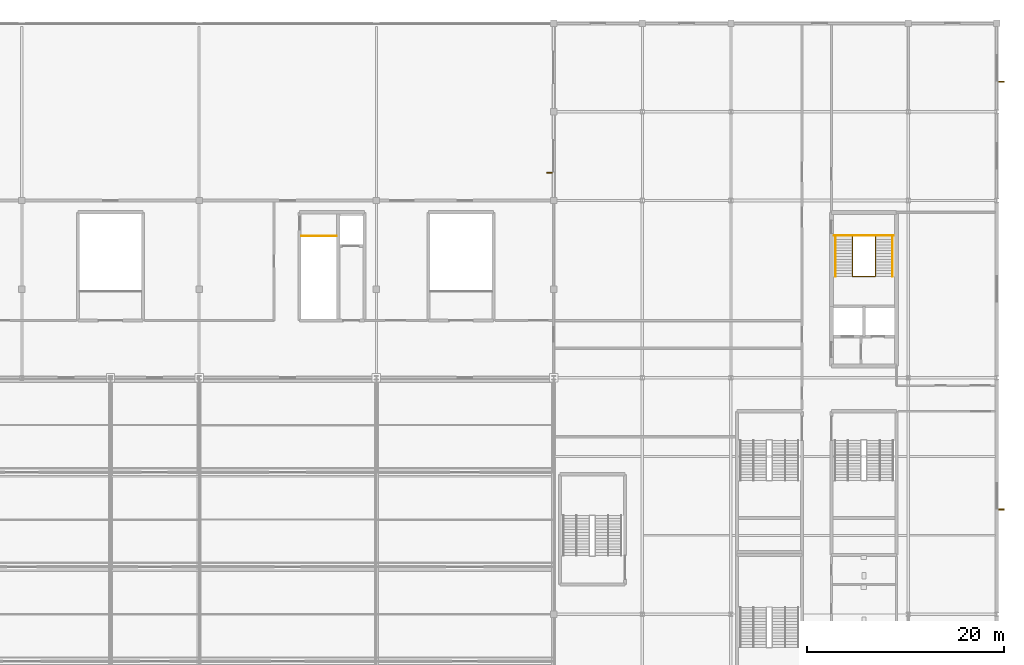
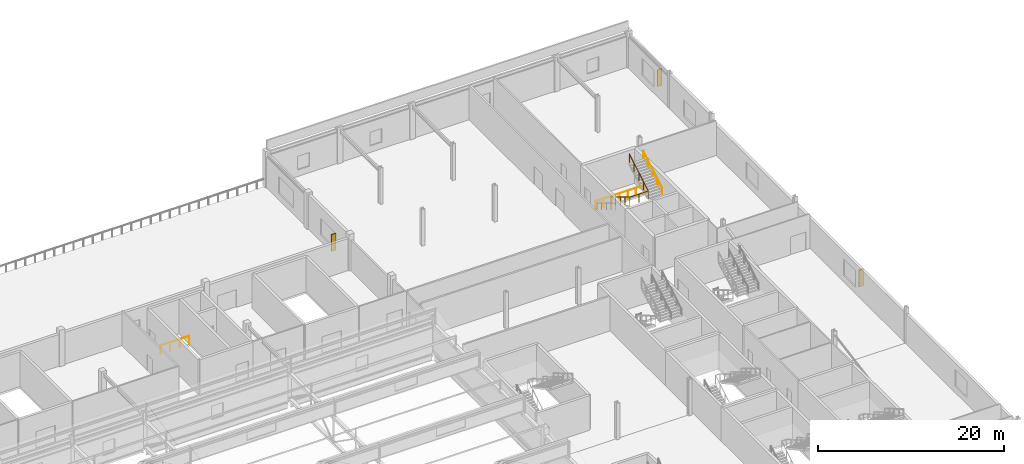
# One storey, part 135 of 136: 5 railings, 3 shading devices.
"""IFC4 building model written with IfcOpenShell, lengths in metres."""

from ifc_helpers import new_model, si_unit, direction, frame, origin, origin_2d, place, context, subcontext, project, spatial, rectangle, circle, extrude, material, type_object, element, save


model = new_model("IFC4")

# Units and contexts
model_context = context("Model", 3, precision=1e-05, world=origin(), true_north=direction((0.0, 1.0)))
body_context = subcontext(model_context, "Body", "Model", "MODEL_VIEW")
ifc_project = project(units=[si_unit("LENGTHUNIT", "METRE"), si_unit("AREAUNIT", "SQUARE_METRE"), si_unit("VOLUMEUNIT", "CUBIC_METRE"), si_unit("PLANEANGLEUNIT", "RADIAN"), si_unit("MASSUNIT", "GRAM", prefix="KILO")], contexts=[model_context])

# Site, building, storey
site_placement = place(None, origin())
site = spatial("IfcSite", under=ifc_project, at=site_placement, CompositionType="ELEMENT")
building_placement = place(site_placement, origin())
building = spatial("IfcBuilding", under=site, at=building_placement, Name="Kisiwana Market Hall", CompositionType="ELEMENT")
storey_placement = place(building_placement, frame((0.0, 0.0, 16.800048828125)))
storey = spatial("IfcBuildingStorey", under=building, at=storey_placement, Name="L03", CompositionType="ELEMENT", Elevation=16.800048828125)

# Railings
ifc_material_1 = material(Name="Steel S275", Category="steel")
railing_type_1 = type_object("IfcRailingType", Name="RL-GUARD-1100", PredefinedType="GUARDRAIL", material=ifc_material_1)
railing_1_placement = place(storey_placement, frame((183.35009765625, 98.3505859375, 0.0)))
element("IfcRailing", 1, at=railing_1_placement, inside=storey, type_object=railing_type_1, Name="Stair ST-E1-L03 inner-well guardrail (RL-651)", PredefinedType="GUARDRAIL", context=body_context, shape_type="SweptSolid", body=[
    extrude(circle(Radius=0.02392578125, at=origin_2d()), frame((0.0, 0.0, 1.076171875), z_axis=(0.0, -0.8608543813, 0.508851387142), x_axis=(1.0, 0.0, 0.0)), (0.0, 0.0, 1.0), 4.71630859375),
    extrude(circle(Radius=0.02392578125, at=origin_2d()), frame((0.0, -4.06005859375, 3.47607421875), z_axis=(1.0, 0.0, 0.0), x_axis=(0.0, 1.0, 0.0)), (0.0, 0.0, 1.0), 2.2998046875),
    extrude(circle(Radius=0.02392578125, at=origin_2d()), frame((2.2998046875, -4.06005859375, 3.47607421875), z_axis=(0.0, 0.860831705478, 0.508889747237), x_axis=(-1.0, 0.0, 0.0)), (0.0, 0.0, 1.0), 4.716552734375),
    extrude(circle(Radius=0.02099609375, at=origin_2d()), origin(), (0.0, 0.0, 1.0), 1.052001953125),
    extrude(circle(Radius=0.02099609375, at=origin_2d()), frame((0.0, -1.01513671875, 0.60009765625)), (0.0, 0.0, 1.0), 1.052001953125),
    extrude(circle(Radius=0.02099609375, at=origin_2d()), frame((0.0, -2.030029296875, 1.199951171875)), (0.0, 0.0, 1.0), 1.052001953125),
    extrude(circle(Radius=0.02099609375, at=origin_2d()), frame((0.0, -3.044921875, 1.7998046875)), (0.0, 0.0, 1.0), 1.052001953125),
    extrude(circle(Radius=0.02099609375, at=origin_2d()), frame((0.0, -4.06005859375, 2.39990234375)), (0.0, 0.0, 1.0), 1.052001953125),
    extrude(circle(Radius=0.02099609375, at=origin_2d()), frame((1.14990234375, -4.06005859375, 2.39990234375)), (0.0, 0.0, 1.0), 1.052001953125),
    extrude(circle(Radius=0.02099609375, at=origin_2d()), frame((2.2998046875, -4.06005859375, 2.39990234375)), (0.0, 0.0, 1.0), 1.052001953125),
    extrude(circle(Radius=0.02099609375, at=origin_2d()), frame((2.2998046875, -3.044921875, 3.0)), (0.0, 0.0, 1.0), 1.052001953125),
    extrude(circle(Radius=0.02099609375, at=origin_2d()), frame((2.2998046875, -2.030029296875, 3.60009765625)), (0.0, 0.0, 1.0), 1.052001953125),
    extrude(circle(Radius=0.02099609375, at=origin_2d()), frame((2.2998046875, -1.01513671875, 4.199951171875)), (0.0, 0.0, 1.0), 1.052001953125),
    extrude(circle(Radius=0.02099609375, at=origin_2d()), frame((2.2998046875, 0.0, 4.800048828125)), (0.0, 0.0, 1.0), 1.052001953125),
])
railing_2_placement = place(storey_placement, frame((181.47998046875, 98.430419921875, 0.0)))
element("IfcRailing", 2, at=railing_2_placement, inside=storey, type_object=railing_type_1, Name="Stair ST-E1-L03 landing edge guardrail (RL-654)", PredefinedType="GUARDRAIL", context=body_context, shape_type="SweptSolid", body=[
    extrude(circle(Radius=0.02392578125, at=origin_2d()), frame((0.0, 0.0, 1.076171875), z_axis=(1.0, 0.0, 0.0), x_axis=(0.0, 1.0, 0.0)), (0.0, 0.0, 1.0), 6.0400390625),
    extrude(circle(Radius=0.02099609375, at=origin_2d()), origin(), (0.0, 0.0, 1.0), 1.052001953125),
    extrude(circle(Radius=0.02099609375, at=origin_2d()), frame((1.006591796875, 0.0, 0.0)), (0.0, 0.0, 1.0), 1.052001953125),
    extrude(circle(Radius=0.02099609375, at=origin_2d()), frame((2.013427734375, 0.0, 0.0)), (0.0, 0.0, 1.0), 1.052001953125),
    extrude(circle(Radius=0.02099609375, at=origin_2d()), frame((3.02001953125, 0.0, 0.0)), (0.0, 0.0, 1.0), 1.052001953125),
    extrude(circle(Radius=0.02099609375, at=origin_2d()), frame((4.026611328125, 0.0, 0.0)), (0.0, 0.0, 1.0), 1.052001953125),
    extrude(circle(Radius=0.02099609375, at=origin_2d()), frame((5.033447265625, 0.0, 0.0)), (0.0, 0.0, 1.0), 1.052001953125),
    extrude(circle(Radius=0.02099609375, at=origin_2d()), frame((6.0400390625, 0.0, 0.0)), (0.0, 0.0, 1.0), 1.052001953125),
])
railing_3_placement = place(storey_placement, frame((127.3798828125, 98.409912109375, 0.0)))
element("IfcRailing", 3, at=railing_3_placement, inside=storey, type_object=railing_type_1, Name="Core N2 top stairwell guardrail (L03) (RL-658)", PredefinedType="GUARDRAIL", context=body_context, shape_type="SweptSolid", body=[
    extrude(circle(Radius=0.02392578125, at=origin_2d()), frame((0.0, 0.0, 1.076171875), z_axis=(1.0, 0.0, 0.0), x_axis=(0.0, 1.0, 0.0)), (0.0, 0.0, 1.0), 3.56005859375),
    extrude(circle(Radius=0.02099609375, at=origin_2d()), origin(), (0.0, 0.0, 1.0), 1.052001953125),
    extrude(circle(Radius=0.02099609375, at=origin_2d()), frame((1.186767578125, 0.0, 0.0)), (0.0, 0.0, 1.0), 1.052001953125),
    extrude(circle(Radius=0.02099609375, at=origin_2d()), frame((2.373291015625, 0.0, 0.0)), (0.0, 0.0, 1.0), 1.052001953125),
    extrude(circle(Radius=0.02099609375, at=origin_2d()), frame((3.56005859375, 0.0, 0.0)), (0.0, 0.0, 1.0), 1.052001953125),
])
ifc_material_2 = material(Name="Steel S275", Category="steel")
railing_type_2 = type_object("IfcRailingType", Name="RL-HAND-900", PredefinedType="HANDRAIL", material=ifc_material_2)
railing_4_placement = place(storey_placement, frame((181.610107421875, 98.3505859375, 0.0)))
element("IfcRailing", 4, at=railing_4_placement, inside=storey, type_object=railing_type_2, Name="Stair ST-E1-L03 flight 1 handrail (RL-652)", PredefinedType="HANDRAIL", context=body_context, shape_type="SweptSolid", body=[
    extrude(circle(Radius=0.02392578125, at=origin_2d()), frame((0.0, 0.0, 0.8759765625), z_axis=(0.0, -0.8608543813, 0.508851387142), x_axis=(1.0, 0.0, 0.0)), (0.0, 0.0, 1.0), 4.71630859375),
    extrude(circle(Radius=0.02099609375, at=origin_2d()), origin(), (0.0, 0.0, 1.0), 0.851806640625),
    extrude(circle(Radius=0.02099609375, at=origin_2d()), frame((0.0, -1.01513671875, 0.60009765625)), (0.0, 0.0, 1.0), 0.851806640625),
    extrude(circle(Radius=0.02099609375, at=origin_2d()), frame((0.0, -2.030029296875, 1.199951171875)), (0.0, 0.0, 1.0), 0.851806640625),
    extrude(circle(Radius=0.02099609375, at=origin_2d()), frame((0.0, -3.044921875, 1.7998046875)), (0.0, 0.0, 1.0), 0.851806640625),
    extrude(circle(Radius=0.02099609375, at=origin_2d()), frame((0.0, -4.06005859375, 2.39990234375)), (0.0, 0.0, 1.0), 0.851806640625),
])
railing_5_placement = place(storey_placement, frame((187.389892578125, 94.29052734375, 2.39990234375)))
element("IfcRailing", 5, at=railing_5_placement, inside=storey, type_object=railing_type_2, Name="Stair ST-E1-L03 flight 2 handrail (RL-653)", PredefinedType="HANDRAIL", context=body_context, shape_type="SweptSolid", body=[
    extrude(circle(Radius=0.02392578125, at=origin_2d()), frame((0.0, 0.0, 0.8759765625), z_axis=(0.0, 0.860831705478, 0.508889747237), x_axis=(-1.0, 0.0, 0.0)), (0.0, 0.0, 1.0), 4.716552734375),
    extrude(circle(Radius=0.02099609375, at=origin_2d()), origin(), (0.0, 0.0, 1.0), 0.851806640625),
    extrude(circle(Radius=0.02099609375, at=origin_2d()), frame((0.0, 1.01513671875, 0.60009765625)), (0.0, 0.0, 1.0), 0.851806640625),
    extrude(circle(Radius=0.02099609375, at=origin_2d()), frame((0.0, 2.030029296875, 1.2001953125)), (0.0, 0.0, 1.0), 0.851806640625),
    extrude(circle(Radius=0.02099609375, at=origin_2d()), frame((0.0, 3.044921875, 1.800048828125)), (0.0, 0.0, 1.0), 0.851806640625),
    extrude(circle(Radius=0.02099609375, at=origin_2d()), frame((0.0, 4.06005859375, 2.400146484375)), (0.0, 0.0, 1.0), 0.851806640625),
])

# Shading devices
ifc_material_3 = material(Name="Aluminium alloy 6063-T6", Category="aluminium")
shading_device_type = type_object("IfcShadingDeviceType", Name="SHD-SHUTTER-V", PredefinedType="SHUTTER", material=ifc_material_3)
for number, where, z_axis, x_axis, name in (
    (6, (152.554931640625, 104.820068359375, 0.85009765625), (0.0, 0.0, 1.0), (0.0, 1.0, 0.0), "Vertical solar fin SHD-067 SD-067"),
    (7, (198.445068359375, 70.6201171875, 0.85009765625), (0.0, 0.0, 1.0), (0.0, 1.0, 0.0), "Vertical solar fin SHD-069 SD-069"),
    (8, (198.445068359375, 114.055908203125, 0.85009765625), (0.0, 0.0, 1.0), (0.0, 1.0, 0.0), "Vertical solar fin SHD-070 SD-070"),
):
    element("IfcShadingDevice", number, at=place(storey_placement, frame(where, z_axis=z_axis, x_axis=x_axis)), inside=storey, type_object=shading_device_type, Name=name, PredefinedType="SHUTTER", context=body_context, shape_type="SweptSolid", body=[
        extrude(rectangle(XDim=0.1201171875, YDim=0.550048828125, at=origin_2d()), origin(), (0.0, 0.0, 1.0), 2.199951171875),
    ])

save(model, "model.ifc")
